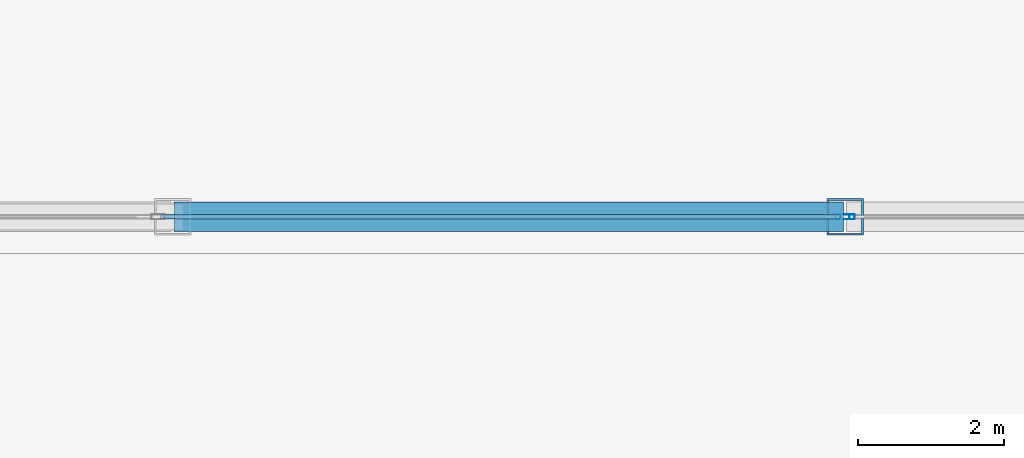
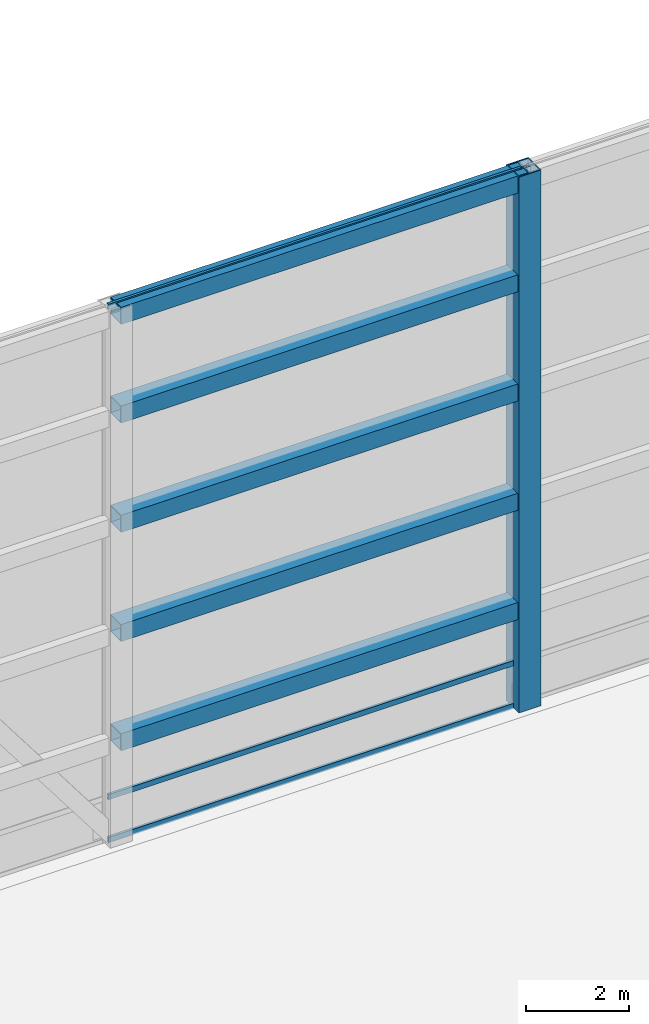
# One storey, part 11 of 23: 6 members, 5 beams, 2 elements without a shape of their own.
"""IFC4 building model written with IfcOpenShell, lengths in metres."""

from ifc_helpers import new_model, si_unit, direction, frame, origin, origin_2d, place, context, subcontext, project, spatial, hollow_rectangle, extrude, source, transform, mapped, material, layer, layer_set, material_profile, profile_set, type_object, type_shapes, element, aggregate, save


model = new_model("IFC4")

# Units and contexts
model_context = context("Model", 3, precision=1e-05, world=origin(), true_north=direction((0.0, 1.0)))
body_context = subcontext(model_context, "Body", "Model", "MODEL_VIEW")
ifc_project = project(units=[si_unit("LENGTHUNIT", "METRE"), si_unit("AREAUNIT", "SQUARE_METRE"), si_unit("VOLUMEUNIT", "CUBIC_METRE"), si_unit("PLANEANGLEUNIT", "RADIAN"), si_unit("MASSUNIT", "GRAM", prefix="KILO")], contexts=[model_context])

# Site, building, storey
site_placement = place(None, origin())
site = spatial("IfcSite", under=ifc_project, at=site_placement, CompositionType="ELEMENT")
building_placement = place(site_placement, origin())
building = spatial("IfcBuilding", under=site, at=building_placement, Name="Varnel Quay Broadcast Tower", CompositionType="ELEMENT")
storey_placement = place(building_placement, frame((0.0, 0.0, 319.800048828125)))
storey = spatial("IfcBuildingStorey", under=building, at=storey_placement, Name="Roof", CompositionType="ELEMENT", Elevation=319.800048828125)

# Member
ifc_material_1 = material(Name="Structural Steel CSA G40.21 350WT", Category="steel")
ifc_material_profile_1 = material_profile(ifc_material_1, hollow_rectangle(XDim=0.5, YDim=0.5, WallThickness=0.02490234375, at=origin_2d()), Name="BOX500X500X25")
ifc_profile_set_1 = profile_set([ifc_material_profile_1], Name="Structural Steel CSA G40.21 350WT")
member_type_1 = type_object("IfcMemberType", Name="CrownRingPost_BOX500", PredefinedType="POST", material=ifc_profile_set_1)
shared_shape_1 = source(origin(), body_context, "Body", "SweptSolid", [
    extrude(hollow_rectangle(XDim=0.5, YDim=0.5, WallThickness=0.02490234375, at=origin_2d()), origin(), (0.0, 0.0, 1.0), 12.75),
])
type_shapes(member_type_1, [shared_shape_1])
member_1_placement = place(storey_placement, frame((34.0, 43.60009765625, 0.0), z_axis=(0.0, 0.0, 1.0), x_axis=(1.0, 0.0, 0.0)))
element("IfcMember", 1, at=member_1_placement, inside=storey, type_object=member_type_1, Name="CROWN FRAME Ring Post 10", PredefinedType="POST", context=body_context, shape_type="MappedRepresentation", body=[
    mapped(shared_shape_1, transform((0.0, 0.0, 0.0), x_axis=(1.0, 0.0, 0.0), y_axis=(0.0, 1.0, 0.0), z_axis=(0.0, 0.0, 1.0), scale=1.0)),
])

# Beams
ifc_material_profile_2 = material_profile(ifc_material_1, hollow_rectangle(XDim=0.406005859375, YDim=0.406005859375, WallThickness=0.01611328125, at=origin_2d()), Name="HSS406X406X16")
ifc_profile_set_2 = profile_set([ifc_material_profile_2], Name="Structural Steel CSA G40.21 350WT")
beam_type = type_object("IfcBeamType", Name="CrownRingBeam_HSS406", PredefinedType="BEAM", material=ifc_profile_set_2)
shared_shape_2 = source(origin(), body_context, "Body", "SweptSolid", [
    extrude(hollow_rectangle(XDim=0.406005859375, YDim=0.406005859375, WallThickness=0.01611328125, at=origin_2d()), origin(), (0.0, 0.0, 1.0), 9.159912109375),
])
type_shapes(beam_type, [shared_shape_2])
for number, where, z_axis, x_axis, name in (
    (2, (33.97998046875, 43.60009765625, 2.39697265625), (-1.0, 0.0, 0.0), (0.0, -1.0, 0.0), "CROWN FRAME Ring Tier 1 Beam 10"),
    (3, (33.97998046875, 43.60009765625, 4.9970703125), (-1.0, 0.0, 0.0), (0.0, -1.0, 0.0), "CROWN FRAME Ring Tier 2 Beam 10"),
    (4, (33.97998046875, 43.60009765625, 7.596923828125), (-1.0, 0.0, 0.0), (0.0, -1.0, 0.0), "CROWN FRAME Ring Tier 3 Beam 10"),
    (5, (33.97998046875, 43.60009765625, 10.197021484375), (-1.0, 0.0, 0.0), (0.0, -1.0, 0.0), "CROWN FRAME Ring Tier 4 Beam 10"),
    (6, (33.97998046875, 43.60009765625, 12.546875), (-1.0, 0.0, 0.0), (0.0, -1.0, 0.0), "CROWN FRAME Ring Tier 5 Beam 10"),
):
    element("IfcBeam", number, at=place(storey_placement, frame(where, z_axis=z_axis, x_axis=x_axis)), inside=storey, type_object=beam_type, Name=name, PredefinedType="BEAM", context=body_context, shape_type="MappedRepresentation", body=[
        mapped(shared_shape_2, transform((0.0, 0.0, 0.0), x_axis=(1.0, 0.0, 0.0), y_axis=(0.0, 1.0, 0.0), z_axis=(0.0, 0.0, 1.0), scale=1.0)),
    ])

# Curtain wall, member
ifc_material_2 = material(Name="Anodised Bronze Aluminium 6063-T6", Category="aluminium")
ifc_layer = layer(ifc_material_2, 0.18994140625, Name="Anodised Bronze Aluminium 6063-T6")
ifc_layer_set = layer_set([ifc_layer], Name="Anodised Bronze Aluminium 6063-T6")
curtain_wall_type = type_object("IfcCurtainWallType", Name="CW_CrownScreen", PredefinedType="NOTDEFINED", material=ifc_layer_set)
curtain_wall_1_placement = place(storey_placement, origin())
curtain_wall_1 = element("IfcCurtainWall", 7, at=curtain_wall_1_placement, inside=storey, type_object=curtain_wall_type, Name="Ring Crown Bronze Glazed Louvre Screen N1", PredefinedType="NOTDEFINED")
ifc_material_profile_3 = material_profile(ifc_material_2, hollow_rectangle(XDim=0.070068359375, YDim=0.18994140625, WallThickness=0.00390625, at=origin_2d()), Name="ALU70X190X4")
ifc_profile_set_3 = profile_set([ifc_material_profile_3], Name="Anodised Bronze Aluminium 6063-T6")
member_type_2 = type_object("IfcMemberType", Name="Mull_CWS-06", PredefinedType="MULLION", material=ifc_profile_set_3)
shared_shape_3 = source(origin(), body_context, "Body", "SweptSolid", [
    extrude(hollow_rectangle(XDim=0.070068359375, YDim=0.18994140625, WallThickness=0.00390625, at=origin_2d()), origin(), (0.0, 0.0, 1.0), 12.75),
])
type_shapes(member_type_2, [shared_shape_3])
member_2_placement = place(storey_placement, frame((34.034912109375, 43.60009765625, 0.0), z_axis=(0.0, 0.0, 1.0), x_axis=(0.0, -1.0, 0.0)))
member_2 = element("IfcMember", 8, at=member_2_placement, type_object=member_type_2, Name="CWS-06 mullion 3", PredefinedType="MULLION", context=body_context, shape_type="MappedRepresentation", body=[
    mapped(shared_shape_3, transform((0.0, 0.0, 0.0), x_axis=(1.0, 0.0, 0.0), y_axis=(0.0, 1.0, 0.0), z_axis=(0.0, 0.0, 1.0), scale=1.0)),
])
aggregate(curtain_wall_1, [member_2])

# Curtain wall, members
curtain_wall_2_placement = place(storey_placement, origin())
curtain_wall_2 = element("IfcCurtainWall", 9, at=curtain_wall_2_placement, inside=storey, type_object=curtain_wall_type, Name="Ring Crown Bronze Glazed Louvre Screen N2", PredefinedType="NOTDEFINED")
member_3_placement = place(storey_placement, frame((33.965087890625, 43.60009765625, 0.0), z_axis=(0.0, 0.0, 1.0), x_axis=(0.0, -1.0, 0.0)))
member_3 = element("IfcMember", 10, at=member_3_placement, type_object=member_type_2, Name="CWS-06 mullion 1", PredefinedType="MULLION", context=body_context, shape_type="MappedRepresentation", body=[
    mapped(shared_shape_3, transform((0.0, 0.0, 0.0), x_axis=(1.0, 0.0, 0.0), y_axis=(0.0, 1.0, 0.0), z_axis=(0.0, 0.0, 1.0), scale=1.0)),
])
ifc_material_profile_4 = material_profile(ifc_material_2, hollow_rectangle(XDim=0.06005859375, YDim=0.125, WallThickness=0.0029296875, at=origin_2d()), Name="ALU60X125X3")
ifc_profile_set_4 = profile_set([ifc_material_profile_4], Name="Anodised Bronze Aluminium 6063-T6")
member_type_3 = type_object("IfcMemberType", Name="Tran_CWS-06", PredefinedType="USERDEFINED", material=ifc_profile_set_4)
shared_shape_4 = source(origin(), body_context, "Body", "SweptSolid", [
    extrude(hollow_rectangle(XDim=0.06005859375, YDim=0.125, WallThickness=0.0029296875, at=origin_2d()), origin(), (0.0, 0.0, 1.0), 9.294921875),
])
type_shapes(member_type_3, [shared_shape_4])
member_4_placement = place(storey_placement, frame((33.929931640625, 43.60009765625, 0.030029296875), z_axis=(-1.0, 0.0, 0.0), x_axis=(0.0, -1.0, 0.0)))
member_4 = element("IfcMember", 11, at=member_4_placement, type_object=member_type_3, Name="CWS-06 transom 1.1", ObjectType="TRANSOM", PredefinedType="USERDEFINED", context=body_context, shape_type="MappedRepresentation", body=[
    mapped(shared_shape_4, transform((0.0, 0.0, 0.0), x_axis=(1.0, 0.0, 0.0), y_axis=(0.0, 1.0, 0.0), z_axis=(0.0, 0.0, 1.0), scale=1.0)),
])
member_5_placement = place(storey_placement, frame((33.929931640625, 43.60009765625, 1.050048828125), z_axis=(-1.0, 0.0, 0.0), x_axis=(0.0, -1.0, 0.0)))
member_5 = element("IfcMember", 12, at=member_5_placement, type_object=member_type_3, Name="CWS-06 transom 1.2", ObjectType="TRANSOM", PredefinedType="USERDEFINED", context=body_context, shape_type="MappedRepresentation", body=[
    mapped(shared_shape_4, transform((0.0, 0.0, 0.0), x_axis=(1.0, 0.0, 0.0), y_axis=(0.0, 1.0, 0.0), z_axis=(0.0, 0.0, 1.0), scale=1.0)),
])
member_6_placement = place(storey_placement, frame((33.929931640625, 43.60009765625, 12.719970703125), z_axis=(-1.0, 0.0, 0.0), x_axis=(0.0, -1.0, 0.0)))
member_6 = element("IfcMember", 13, at=member_6_placement, type_object=member_type_3, Name="CWS-06 transom 1.3", ObjectType="TRANSOM", PredefinedType="USERDEFINED", context=body_context, shape_type="MappedRepresentation", body=[
    mapped(shared_shape_4, transform((0.0, 0.0, 0.0), x_axis=(1.0, 0.0, 0.0), y_axis=(0.0, 1.0, 0.0), z_axis=(0.0, 0.0, 1.0), scale=1.0)),
])
aggregate(curtain_wall_2, [member_3, member_4, member_5, member_6])

save(model, "model.ifc")
